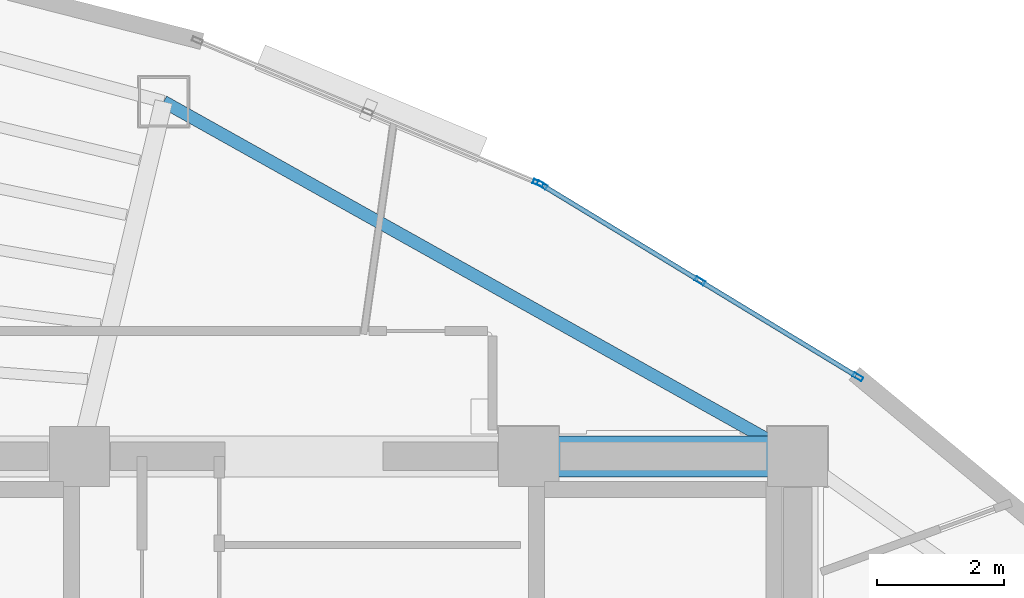
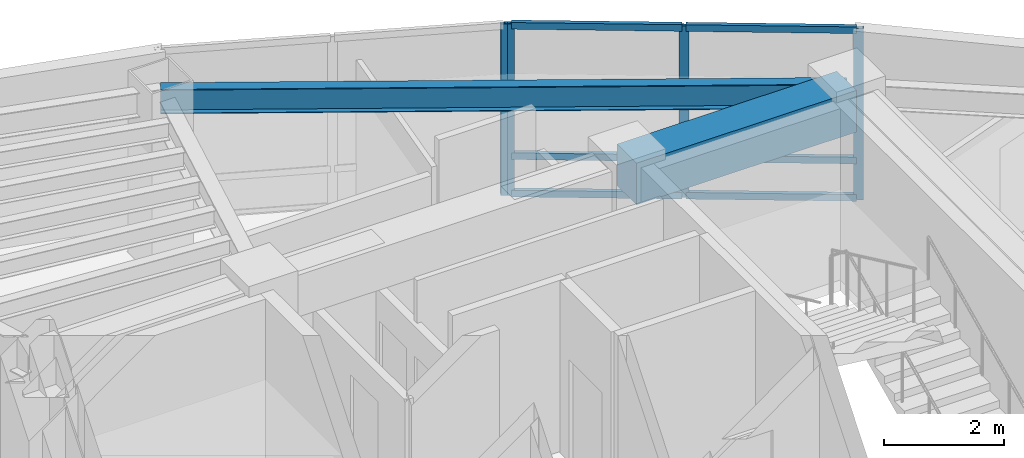
# One storey, part 10 of 16: 10 members, 2 beams, 2 elements without a shape of their own.
"""IFC4 building model written with IfcOpenShell, lengths in metres."""

from ifc_helpers import new_model, si_unit, direction, frame, origin, origin_2d, place, context, subcontext, project, spatial, rectangle, hollow_rectangle, i_section, extrude, material, layer, layer_set, material_profile, profile_set, type_object, element, aggregate, save


model = new_model("IFC4")

# Units and contexts
model_context = context("Model", 3, precision=1e-05, world=origin(), true_north=direction((0.0, 1.0)))
body_context = subcontext(model_context, "Body", "Model", "MODEL_VIEW")
ifc_project = project(units=[si_unit("LENGTHUNIT", "METRE"), si_unit("AREAUNIT", "SQUARE_METRE"), si_unit("VOLUMEUNIT", "CUBIC_METRE"), si_unit("PLANEANGLEUNIT", "RADIAN"), si_unit("MASSUNIT", "GRAM", prefix="KILO")], contexts=[model_context])

# Site, building, storey
site_placement = place(None, origin())
site = spatial("IfcSite", under=ifc_project, at=site_placement, CompositionType="ELEMENT")
building_placement = place(site_placement, origin())
building = spatial("IfcBuilding", under=site, at=building_placement, Name="Menara Vayukalpa", CompositionType="ELEMENT")
storey_placement = place(building_placement, frame((0.0, 0.0, 280.6201171875)))
storey = spatial("IfcBuildingStorey", under=building, at=storey_placement, Name="L71", CompositionType="ELEMENT", Elevation=280.6201171875)

# Beams
ifc_material_1 = material(Name="Concrete C60/75", Category="concrete")
ifc_material_profile_1 = material_profile(ifc_material_1, rectangle(XDim=0.64990234375, YDim=0.85009765625, at=origin_2d()), Name="RC 650x850")
ifc_profile_set_1 = profile_set([ifc_material_profile_1], Name="Concrete C60/75")
beam_type_1 = type_object("IfcBeamType", Name="BM-CB1", PredefinedType="BEAM", material=ifc_profile_set_1)
beam_1_placement = place(storey_placement, frame((29.14990234375, 26.800048828125, 3.074951171875), z_axis=(1.0, 0.0, 0.0), x_axis=(0.0, 1.0, 0.0)))
element("IfcBeam", 1, at=beam_1_placement, inside=storey, type_object=beam_type_1, Name="L71 Core Tie Beam CBR6", PredefinedType="BEAM", context=body_context, shape_type="SweptSolid", body=[
    extrude(rectangle(XDim=0.64990234375, YDim=0.85009765625, at=origin_2d()), origin(), (0.0, 0.0, 1.0), 4.25),
])
ifc_material_2 = material(Name="Steel S355", Category="steel")
ifc_material_profile_2 = material_profile(ifc_material_2, i_section(OverallWidth=0.199951171875, OverallDepth=0.5, WebThickness=0.010009765625, FlangeThickness=0.01611328125, at=origin_2d()), Name="WF 500x200x10x16")
ifc_profile_set_2 = profile_set([ifc_material_profile_2], Name="Steel S355")
beam_type_2 = type_object("IfcBeamType", Name="BM-SP3", PredefinedType="SPANDREL", material=ifc_profile_set_2)
beam_2_placement = place(storey_placement, frame((33.39990234375, 26.800048828125, 3.25), z_axis=(-0.87270577288, 0.48824648896, 0.0), x_axis=(-0.48824648896, -0.87270577288, 0.0)))
element("IfcBeam", 2, at=beam_2_placement, inside=storey, type_object=beam_type_2, Name="L71 Perimeter Spandrel Beam SP02", PredefinedType="SPANDREL", context=body_context, shape_type="SweptSolid", body=[
    extrude(i_section(OverallWidth=0.199951171875, OverallDepth=0.5, WebThickness=0.010009765625, FlangeThickness=0.01611328125, at=origin_2d()), origin(), (0.0, 0.0, 1.0), 11.479248046875),
])

# Curtain wall, members
ifc_material_3 = material(Name="Anodised Terracotta Aluminium Alloy 6063-T6", Category="masonry")
ifc_layer = layer(ifc_material_3, 0.1650390625)
ifc_layer_set = layer_set([ifc_layer], Name="Anodised Terracotta Aluminium Alloy 6063-T6")
curtain_wall_type = type_object("IfcCurtainWallType", Name="CW-CW6", PredefinedType="USERDEFINED", material=ifc_layer_set)
curtain_wall_1_placement = place(storey_placement, origin())
curtain_wall_1 = element("IfcCurtainWall", 3, at=curtain_wall_1_placement, inside=storey, type_object=curtain_wall_type, Name="L71 Observation and Executive Curtain Wall CW6 04", ObjectType="UNITISED", PredefinedType="USERDEFINED")
ifc_material_4 = material(Name="Anodised Terracotta Aluminium Alloy 6063-T6", Category="masonry")
ifc_material_profile_3 = material_profile(ifc_material_4, hollow_rectangle(XDim=0.070068359375, YDim=0.1650390625, WallThickness=0.00390625, at=origin_2d()), Name="ALU 70x165x4")
ifc_profile_set_3 = profile_set([ifc_material_profile_3], Name="Anodised Terracotta Aluminium Alloy 6063-T6")
member_type_1 = type_object("IfcMemberType", Name="CWM-CW6", PredefinedType="MULLION", material=ifc_profile_set_3)
member_1_placement = place(storey_placement, frame((34.35009765625, 28.056396484375, 0.0), z_axis=(0.0, 0.0, 1.0), x_axis=(-0.519175574558, -0.854667609532, 0.0)))
member_1 = element("IfcMember", 4, at=member_1_placement, type_object=member_type_1, Name="CW6 mullion 1", PredefinedType="MULLION", context=body_context, shape_type="SweptSolid", body=[
    extrude(hollow_rectangle(XDim=0.070068359375, YDim=0.1650390625, WallThickness=0.00390625, at=origin_2d()), origin(), (0.0, 0.0, 1.0), 3.5),
])
member_2_placement = place(storey_placement, frame((31.85546875, 29.57177734375, 0.0), z_axis=(0.0, 0.0, 1.0), x_axis=(-0.519175574558, -0.854667609532, 0.0)))
member_2 = element("IfcMember", 5, at=member_2_placement, type_object=member_type_1, Name="CW6 mullion 2", PredefinedType="MULLION", context=body_context, shape_type="SweptSolid", body=[
    extrude(hollow_rectangle(XDim=0.070068359375, YDim=0.1650390625, WallThickness=0.00390625, at=origin_2d()), origin(), (0.0, 0.0, 1.0), 3.5),
])
member_3_placement = place(storey_placement, frame((29.36083984375, 31.087158203125, 0.0), z_axis=(0.0, 0.0, 1.0), x_axis=(-0.519175574558, -0.854667609532, 0.0)))
member_3 = element("IfcMember", 6, at=member_3_placement, type_object=member_type_1, Name="CW6 mullion 3", PredefinedType="MULLION", context=body_context, shape_type="SweptSolid", body=[
    extrude(hollow_rectangle(XDim=0.070068359375, YDim=0.1650390625, WallThickness=0.00390625, at=origin_2d()), origin(), (0.0, 0.0, 1.0), 3.5),
])

# Curtain wall, member
curtain_wall_2_placement = place(storey_placement, origin())
curtain_wall_2 = element("IfcCurtainWall", 7, at=curtain_wall_2_placement, inside=storey, type_object=curtain_wall_type, Name="L71 Observation and Executive Curtain Wall CW6 05", ObjectType="UNITISED", PredefinedType="USERDEFINED")
member_4_placement = place(storey_placement, frame((29.298828125, 31.118896484375, 0.0), z_axis=(0.0, 0.0, 1.0), x_axis=(-0.385899911703, -0.922540653927, 0.0)))
member_4 = element("IfcMember", 8, at=member_4_placement, type_object=member_type_1, Name="CW6 mullion 1", PredefinedType="MULLION", context=body_context, shape_type="SweptSolid", body=[
    extrude(hollow_rectangle(XDim=0.070068359375, YDim=0.1650390625, WallThickness=0.00390625, at=origin_2d()), origin(), (0.0, 0.0, 1.0), 3.5),
])
aggregate(curtain_wall_2, [member_4])

# Member
ifc_material_5 = material(Name="Anodised Terracotta Aluminium Alloy 6063-T6", Category="masonry")
ifc_material_profile_4 = material_profile(ifc_material_5, hollow_rectangle(XDim=0.074951171875, YDim=0.135009765625, WallThickness=0.00390625, at=origin_2d()), Name="ALU 75x135x4")
ifc_profile_set_4 = profile_set([ifc_material_profile_4], Name="Anodised Terracotta Aluminium Alloy 6063-T6")
member_type_2 = type_object("IfcMemberType", Name="CWT-CW6", PredefinedType="USERDEFINED", material=ifc_profile_set_4)
member_5_placement = place(storey_placement, frame((34.320068359375, 28.07470703125, 0.037353515625), z_axis=(-0.854674800659, 0.519163736328, 0.0), x_axis=(-0.519163736328, -0.85467480066, 0.0)))
member_5 = element("IfcMember", 9, at=member_5_placement, type_object=member_type_2, Name="CW6 transom 1.1", ObjectType="TRANSOM", PredefinedType="USERDEFINED", context=body_context, shape_type="SweptSolid", body=[
    extrude(hollow_rectangle(XDim=0.074951171875, YDim=0.135009765625, WallThickness=0.00390625, at=origin_2d()), origin(), (0.0, 0.0, 1.0), 2.848876953125),
])

member_6_placement = place(storey_placement, frame((34.320068359375, 28.07470703125, 0.7998046875), z_axis=(-0.854674800659, 0.519163736328, 0.0), x_axis=(-0.519163736328, -0.85467480066, 0.0)))
member_6 = element("IfcMember", 10, at=member_6_placement, type_object=member_type_2, Name="CW6 transom 1.2", ObjectType="TRANSOM", PredefinedType="USERDEFINED", context=body_context, shape_type="SweptSolid", body=[
    extrude(hollow_rectangle(XDim=0.074951171875, YDim=0.135009765625, WallThickness=0.00390625, at=origin_2d()), origin(), (0.0, 0.0, 1.0), 2.848876953125),
])

member_7_placement = place(storey_placement, frame((34.320068359375, 28.07470703125, 3.46240234375), z_axis=(-0.854674800659, 0.519163736328, 0.0), x_axis=(-0.519163736328, -0.85467480066, 0.0)))
member_7 = element("IfcMember", 11, at=member_7_placement, type_object=member_type_2, Name="CW6 transom 1.3", ObjectType="TRANSOM", PredefinedType="USERDEFINED", context=body_context, shape_type="SweptSolid", body=[
    extrude(hollow_rectangle(XDim=0.074951171875, YDim=0.135009765625, WallThickness=0.00390625, at=origin_2d()), origin(), (0.0, 0.0, 1.0), 2.848876953125),
])

member_8_placement = place(storey_placement, frame((31.825439453125, 29.590087890625, 0.037353515625), z_axis=(-0.854689729536, 0.519139158825, 0.0), x_axis=(-0.519139158825, -0.854689729536, 0.0)))
member_8 = element("IfcMember", 12, at=member_8_placement, type_object=member_type_2, Name="CW6 transom 2.1", ObjectType="TRANSOM", PredefinedType="USERDEFINED", context=body_context, shape_type="SweptSolid", body=[
    extrude(hollow_rectangle(XDim=0.074951171875, YDim=0.135009765625, WallThickness=0.00390625, at=origin_2d()), origin(), (0.0, 0.0, 1.0), 2.848388671875),
])

member_9_placement = place(storey_placement, frame((31.825439453125, 29.590087890625, 0.7998046875), z_axis=(-0.854689729536, 0.519139158825, 0.0), x_axis=(-0.519139158825, -0.854689729536, 0.0)))
member_9 = element("IfcMember", 13, at=member_9_placement, type_object=member_type_2, Name="CW6 transom 2.2", ObjectType="TRANSOM", PredefinedType="USERDEFINED", context=body_context, shape_type="SweptSolid", body=[
    extrude(hollow_rectangle(XDim=0.074951171875, YDim=0.135009765625, WallThickness=0.00390625, at=origin_2d()), origin(), (0.0, 0.0, 1.0), 2.848388671875),
])

member_10_placement = place(storey_placement, frame((31.825439453125, 29.590087890625, 3.46240234375), z_axis=(-0.854689729536, 0.519139158825, 0.0), x_axis=(-0.519139158825, -0.854689729536, 0.0)))
member_10 = element("IfcMember", 14, at=member_10_placement, type_object=member_type_2, Name="CW6 transom 2.3", ObjectType="TRANSOM", PredefinedType="USERDEFINED", context=body_context, shape_type="SweptSolid", body=[
    extrude(hollow_rectangle(XDim=0.074951171875, YDim=0.135009765625, WallThickness=0.00390625, at=origin_2d()), origin(), (0.0, 0.0, 1.0), 2.848388671875),
])

aggregate(curtain_wall_1, [member_1, member_2, member_3, member_5, member_6, member_7, member_8, member_9, member_10])

save(model, "model.ifc")
